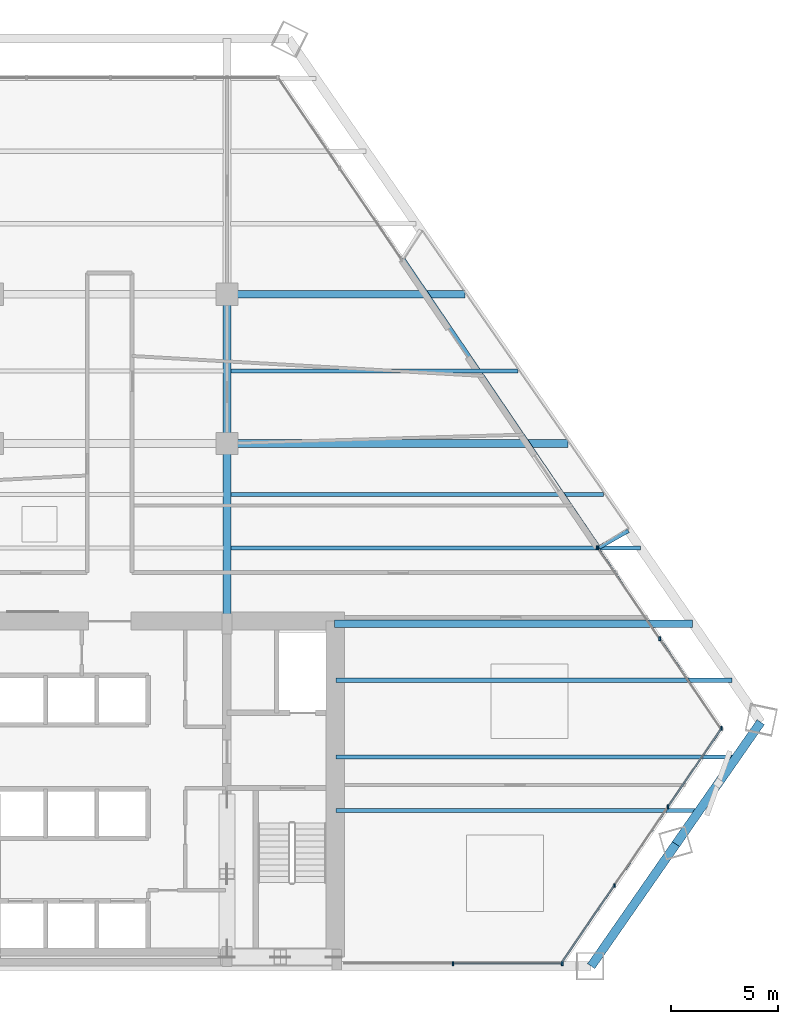
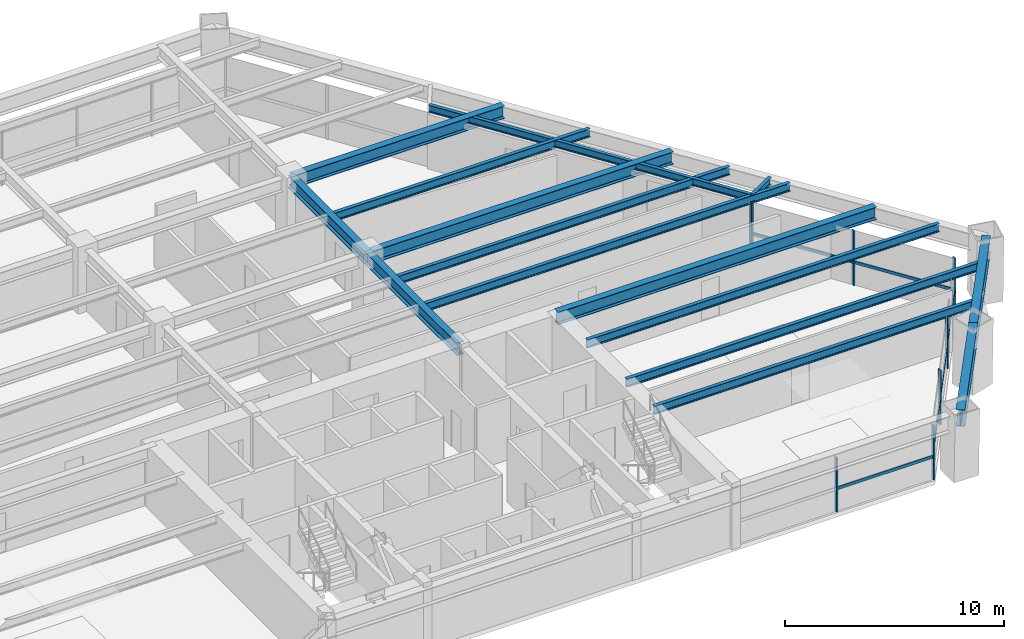
# One storey, part 6 of 14: 15 beams, 14 members, 3 elements without a shape of their own.
"""IFC4 building model written with IfcOpenShell, lengths in metres."""

from ifc_helpers import new_model, si_unit, direction, frame, origin, origin_2d, place, context, subcontext, project, spatial, rectangle, i_section, extrude, source, transform, mapped, material, material_profile, profile_set, type_object, type_shapes, element, aggregate, save


model = new_model("IFC4")

# Units and contexts
model_context = context("Model", 3, precision=1e-05, world=origin(), true_north=direction((0.0, 1.0)))
body_context = subcontext(model_context, "Body", "Model", "MODEL_VIEW")
ifc_project = project(units=[si_unit("LENGTHUNIT", "METRE"), si_unit("AREAUNIT", "SQUARE_METRE"), si_unit("VOLUMEUNIT", "CUBIC_METRE"), si_unit("PLANEANGLEUNIT", "RADIAN"), si_unit("MASSUNIT", "GRAM", prefix="KILO")], contexts=[model_context])

# Site, building, storey
site_placement = place(None, origin())
site = spatial("IfcSite", under=ifc_project, at=site_placement, CompositionType="ELEMENT")
building_placement = place(site_placement, origin())
building = spatial("IfcBuilding", under=site, at=building_placement, Name="Varnakhor Terracotta Tower", CompositionType="ELEMENT")
storey_placement = place(building_placement, frame((0.0, 0.0, 31.199951171875)))
storey = spatial("IfcBuildingStorey", under=building, at=storey_placement, Name="L06", CompositionType="ELEMENT", Elevation=31.199951171875)

# Beams
ifc_material_1 = material(Name="Steel S355", Category="steel")
ifc_material_profile_1 = material_profile(ifc_material_1, i_section(OverallWidth=0.35498046875, OverallDepth=0.695068359375, WebThickness=0.014892578125, FlangeThickness=0.02490234375, FilletRadius=0.01806640625, at=origin_2d()), Name="W27X146")
ifc_profile_set_1 = profile_set([ifc_material_profile_1], Name="Steel S355")
beam_type_1 = type_object("IfcBeamType", Name="BM-W27X146", PredefinedType="BEAM", material=ifc_profile_set_1)
shared_shape_1 = source(origin(), body_context, "Body", "SweptSolid", [
    extrude(i_section(OverallWidth=0.35498046875, OverallDepth=0.695068359375, WebThickness=0.014892578125, FlangeThickness=0.02490234375, FilletRadius=0.01806640625, at=origin_2d()), origin(), (0.0, 0.0, 1.0), 8.449951171875),
])
type_shapes(beam_type_1, [shared_shape_1])
beam_1_placement = place(storey_placement, frame((5.5, 16.050048828125, 3.1025390625), z_axis=(0.0, 1.0, 0.0), x_axis=(-1.0, 0.0, 0.0)))
element("IfcBeam", 1, at=beam_1_placement, inside=storey, type_object=beam_type_1, Name="L06 Primary Girder NS1-E", PredefinedType="BEAM", context=body_context, shape_type="MappedRepresentation", body=[
    mapped(shared_shape_1, transform((0.0, 0.0, 0.0), scale=1.0)),
])
shared_shape_2 = source(origin(), body_context, "Body", "SweptSolid", [
    extrude(i_section(OverallWidth=0.35498046875, OverallDepth=0.695068359375, WebThickness=0.014892578125, FlangeThickness=0.02490234375, FilletRadius=0.01806640625, at=origin_2d()), origin(), (0.0, 0.0, 1.0), 7.0),
])
beam_2_placement = place(storey_placement, frame((5.5, 24.5, 3.1025390625), z_axis=(0.0, 1.0, 0.0), x_axis=(-1.0, 0.0, 0.0)))
element("IfcBeam", 2, at=beam_2_placement, inside=storey, type_object=beam_type_1, Name="L06 Primary Girder NS2-E", PredefinedType="BEAM", context=body_context, shape_type="MappedRepresentation", body=[
    mapped(shared_shape_2, transform((0.0, 0.0, 0.0), scale=1.0)),
])
ifc_material_profile_2 = material_profile(ifc_material_1, i_section(OverallWidth=0.41796875, OverallDepth=0.927001953125, WebThickness=0.01904296875, FlangeThickness=0.031982421875, FilletRadius=0.01806640625, at=origin_2d()), Name="W36X231")
ifc_profile_set_2 = profile_set([ifc_material_profile_2], Name="Steel S355")
beam_type_2 = type_object("IfcBeamType", Name="BM-W36X231", PredefinedType="BEAM", material=ifc_profile_set_2)
shared_shape_3 = source(origin(), body_context, "Body", "SweptSolid", [
    extrude(i_section(OverallWidth=0.41796875, OverallDepth=0.927001953125, WebThickness=0.01904296875, FlangeThickness=0.031982421875, FilletRadius=0.01806640625, at=origin_2d()), origin(), (0.0, 0.0, 1.0), 6.96435546875),
])
for number, where, z_axis, x_axis, name in (
    (3, (22.57080078125, 0.0, 2.986572265625), (0.570814872879, 0.821078790921, 0.0), (-0.821078790921, 0.570814872879, 0.0), "L06 Perimeter Spandrel 2"),
    (4, (26.546142578125, 5.71826171875, 2.986572265625), (0.570814872879, 0.821078790921, 0.0), (-0.821078790921, 0.570814872879, 0.0), "L06 Perimeter Spandrel 3"),
):
    element("IfcBeam", number, at=place(storey_placement, frame(where, z_axis=z_axis, x_axis=x_axis)), inside=storey, type_object=beam_type_2, Name=name, PredefinedType="BEAM", context=body_context, shape_type="MappedRepresentation", body=[
        mapped(shared_shape_3, transform((0.0, 0.0, 0.0), scale=1.0)),
    ])
ifc_material_profile_3 = material_profile(ifc_material_1, i_section(OverallWidth=0.179931640625, OverallDepth=0.39990234375, WebThickness=0.008544921875, FlangeThickness=0.013427734375, FilletRadius=0.01806640625, at=origin_2d()), Name="IPE400")
ifc_profile_set_3 = profile_set([ifc_material_profile_3], Name="Steel S355")
beam_type_3 = type_object("IfcBeamType", Name="JST-IPE400", PredefinedType="JOIST", material=ifc_profile_set_3)
shared_shape_4 = source(origin(), body_context, "Body", "SweptSolid", [
    extrude(i_section(OverallWidth=0.179931640625, OverallDepth=0.39990234375, WebThickness=0.008544921875, FlangeThickness=0.013427734375, FilletRadius=0.01806640625, at=origin_2d()), origin(), (0.0, 0.0, 1.0), 16.37109375),
])
beam_3_placement = place(storey_placement, frame((22.929931640625, 19.61669921875, 3.25), z_axis=(-0.56106773426, 0.827769894096, 0.0), x_axis=(-0.827769894096, -0.56106773426, 0.0)))
element("IfcBeam", 5, at=beam_3_placement, inside=storey, type_object=beam_type_3, Name="L06 Loggia Edge Beam 1", PredefinedType="JOIST", context=body_context, shape_type="MappedRepresentation", body=[
    mapped(shared_shape_4, transform((0.0, 0.0, 0.0), scale=1.0)),
])
shared_shape_5 = source(origin(), body_context, "Body", "SweptSolid", [
    extrude(i_section(OverallWidth=0.35498046875, OverallDepth=0.695068359375, WebThickness=0.014892578125, FlangeThickness=0.02490234375, FilletRadius=0.01806640625, at=origin_2d()), origin(), (0.0, 0.0, 1.0), 16.782470703125),
])
beam_4_placement = place(storey_placement, frame((10.550048828125, 16.050048828125, 3.1025390625), z_axis=(1.0, 0.0, 0.0), x_axis=(0.0, 1.0, 0.0)))
element("IfcBeam", 6, at=beam_4_placement, inside=storey, type_object=beam_type_1, Name="L06 Wing Girder E", PredefinedType="BEAM", context=body_context, shape_type="MappedRepresentation", body=[
    mapped(shared_shape_5, transform((0.0, 0.0, 0.0), scale=1.0)),
])
shared_shape_6 = source(origin(), body_context, "Body", "SweptSolid", [
    extrude(i_section(OverallWidth=0.35498046875, OverallDepth=0.695068359375, WebThickness=0.014892578125, FlangeThickness=0.02490234375, FilletRadius=0.01806640625, at=origin_2d()), origin(), (0.0, 0.0, 1.0), 15.99169921875),
])
beam_5_placement = place(storey_placement, frame((5.5, 24.5, 3.1025390625), z_axis=(1.0, 0.0, 0.0), x_axis=(0.0, 1.0, 0.0)))
element("IfcBeam", 7, at=beam_5_placement, inside=storey, type_object=beam_type_1, Name="L06 Primary Girder EW2-3", PredefinedType="BEAM", context=body_context, shape_type="MappedRepresentation", body=[
    mapped(shared_shape_6, transform((0.0, 0.0, 0.0), scale=1.0)),
])
shared_shape_7 = source(origin(), body_context, "Body", "SweptSolid", [
    extrude(i_section(OverallWidth=0.35498046875, OverallDepth=0.695068359375, WebThickness=0.014892578125, FlangeThickness=0.02490234375, FilletRadius=0.01806640625, at=origin_2d()), origin(), (0.0, 0.0, 1.0), 11.1533203125),
])
beam_6_placement = place(storey_placement, frame((5.5, 31.5, 3.1025390625), z_axis=(1.0, 0.0, 0.0), x_axis=(0.0, 1.0, 0.0)))
element("IfcBeam", 8, at=beam_6_placement, inside=storey, type_object=beam_type_1, Name="L06 Primary Girder EW3-3", PredefinedType="BEAM", context=body_context, shape_type="MappedRepresentation", body=[
    mapped(shared_shape_7, transform((0.0, 0.0, 0.0), scale=1.0)),
])
ifc_material_profile_4 = material_profile(ifc_material_1, i_section(OverallWidth=0.19189453125, OverallDepth=0.462890625, WebThickness=0.010498046875, FlangeThickness=0.017578125, FilletRadius=0.01806640625, at=origin_2d()), Name="W18X60")
ifc_profile_set_4 = profile_set([ifc_material_profile_4], Name="Steel S355")
beam_type_4 = type_object("IfcBeamType", Name="JST-W18X60", PredefinedType="JOIST", material=ifc_profile_set_4)
shared_shape_8 = source(origin(), body_context, "Body", "SweptSolid", [
    extrude(i_section(OverallWidth=0.19189453125, OverallDepth=0.462890625, WebThickness=0.010498046875, FlangeThickness=0.017578125, FilletRadius=0.01806640625, at=origin_2d()), origin(), (0.0, 0.0, 1.0), 17.045654296875),
])
beam_7_placement = place(storey_placement, frame((10.60009765625, 7.300048828125, 3.218505859375), z_axis=(1.0, 0.0, 0.0), x_axis=(0.0, 1.0, 0.0)))
element("IfcBeam", 9, at=beam_7_placement, inside=storey, type_object=beam_type_4, Name="L06 Floor Joist E1", PredefinedType="JOIST", context=body_context, shape_type="MappedRepresentation", body=[
    mapped(shared_shape_8, transform((0.0, 0.0, 0.0), scale=1.0)),
])
shared_shape_9 = source(origin(), body_context, "Body", "SweptSolid", [
    extrude(i_section(OverallWidth=0.19189453125, OverallDepth=0.462890625, WebThickness=0.010498046875, FlangeThickness=0.017578125, FilletRadius=0.01806640625, at=origin_2d()), origin(), (0.0, 0.0, 1.0), 18.78369140625),
])
beam_8_placement = place(storey_placement, frame((10.60009765625, 9.800048828125, 3.218505859375), z_axis=(1.0, 0.0, 0.0), x_axis=(0.0, 1.0, 0.0)))
element("IfcBeam", 10, at=beam_8_placement, inside=storey, type_object=beam_type_4, Name="L06 Floor Joist E2", PredefinedType="JOIST", context=body_context, shape_type="MappedRepresentation", body=[
    mapped(shared_shape_9, transform((0.0, 0.0, 0.0), scale=1.0)),
])
shared_shape_10 = source(origin(), body_context, "Body", "SweptSolid", [
    extrude(i_section(OverallWidth=0.19189453125, OverallDepth=0.462890625, WebThickness=0.010498046875, FlangeThickness=0.017578125, FilletRadius=0.01806640625, at=origin_2d()), origin(), (0.0, 0.0, 1.0), 18.564208984375),
])
beam_9_placement = place(storey_placement, frame((10.60009765625, 13.39990234375, 3.218505859375), z_axis=(1.0, 0.0, 0.0), x_axis=(0.0, 1.0, 0.0)))
element("IfcBeam", 11, at=beam_9_placement, inside=storey, type_object=beam_type_4, Name="L06 Floor Joist E3", PredefinedType="JOIST", context=body_context, shape_type="MappedRepresentation", body=[
    mapped(shared_shape_10, transform((0.0, 0.0, 0.0), scale=1.0)),
])
shared_shape_11 = source(origin(), body_context, "Body", "SweptSolid", [
    extrude(i_section(OverallWidth=0.19189453125, OverallDepth=0.462890625, WebThickness=0.010498046875, FlangeThickness=0.017578125, FilletRadius=0.01806640625, at=origin_2d()), origin(), (0.0, 0.0, 1.0), 19.205078125),
])
beam_10_placement = place(storey_placement, frame((5.673583984375, 19.60009765625, 3.218505859375), z_axis=(1.0, 0.0, 0.0), x_axis=(0.0, 1.0, 0.0)))
element("IfcBeam", 12, at=beam_10_placement, inside=storey, type_object=beam_type_4, Name="L06 Composite Floor Joist 4-3", PredefinedType="JOIST", context=body_context, shape_type="MappedRepresentation", body=[
    mapped(shared_shape_11, transform((0.0, 0.0, 0.0), scale=1.0)),
])
shared_shape_12 = source(origin(), body_context, "Body", "SweptSolid", [
    extrude(i_section(OverallWidth=0.19189453125, OverallDepth=0.462890625, WebThickness=0.010498046875, FlangeThickness=0.017578125, FilletRadius=0.01806640625, at=origin_2d()), origin(), (0.0, 0.0, 1.0), 17.47705078125),
])
beam_11_placement = place(storey_placement, frame((5.673583984375, 22.10009765625, 3.218505859375), z_axis=(1.0, 0.0, 0.0), x_axis=(0.0, 1.0, 0.0)))
element("IfcBeam", 13, at=beam_11_placement, inside=storey, type_object=beam_type_4, Name="L06 Composite Floor Joist 5-3", PredefinedType="JOIST", context=body_context, shape_type="MappedRepresentation", body=[
    mapped(shared_shape_12, transform((0.0, 0.0, 0.0), scale=1.0)),
])
shared_shape_13 = source(origin(), body_context, "Body", "SweptSolid", [
    extrude(i_section(OverallWidth=0.19189453125, OverallDepth=0.462890625, WebThickness=0.010498046875, FlangeThickness=0.017578125, FilletRadius=0.01806640625, at=origin_2d()), origin(), (0.0, 0.0, 1.0), 13.468017578125),
])
beam_12_placement = place(storey_placement, frame((5.673583984375, 27.89990234375, 3.218505859375), z_axis=(1.0, 0.0, 0.0), x_axis=(0.0, 1.0, 0.0)))
element("IfcBeam", 14, at=beam_12_placement, inside=storey, type_object=beam_type_4, Name="L06 Composite Floor Joist 6-3", PredefinedType="JOIST", context=body_context, shape_type="MappedRepresentation", body=[
    mapped(shared_shape_13, transform((0.0, 0.0, 0.0), scale=1.0)),
])

# Curtain wall, members
ifc_material_2 = material(Name="Anodised Aluminium Curtain Wall System", Category="aluminium")
curtain_wall_type = type_object("IfcCurtainWallType", Name="CW-SYS-LOW-OFFICE", PredefinedType="NOTDEFINED", material=ifc_material_2)
curtain_wall_1_placement = place(storey_placement, origin())
curtain_wall_1 = element("IfcCurtainWall", 15, at=curtain_wall_1_placement, inside=storey, type_object=curtain_wall_type, Name="L06 E Facet Curtain Wall 2", PredefinedType="NOTDEFINED")
ifc_material_3 = material(Name="Anodised Aluminium 6063-T6", Category="aluminium")
ifc_material_profile_5 = material_profile(ifc_material_3, rectangle(XDim=0.074951171875, YDim=0.18505859375, at=origin_2d()), Name="ALU MULLION 75x185")
ifc_profile_set_5 = profile_set([ifc_material_profile_5], Name="Anodised Aluminium 6063-T6")
member_type_1 = type_object("IfcMemberType", Name="CWM-02", PredefinedType="MULLION", material=ifc_profile_set_5)
shared_shape_14 = source(origin(), body_context, "Body", "SweptSolid", [
    extrude(rectangle(XDim=0.074951171875, YDim=0.18505859375, at=origin_2d()), origin(), (0.0, 0.0, 1.0), 3.030029296875),
])
type_shapes(member_type_1, [shared_shape_14])
member_1_placement = place(storey_placement, frame((22.8876953125, 19.602783203125, 0.0), z_axis=(0.0, 0.0, 1.0), x_axis=(1.0, 0.0, 0.0)))
member_1 = element("IfcMember", 16, at=member_1_placement, type_object=member_type_1, Name="L06 E Facet Curtain Wall 2 Mullion 1", PredefinedType="MULLION", context=body_context, shape_type="MappedRepresentation", body=[
    mapped(shared_shape_14, transform((0.0, 0.0, 0.0), scale=1.0)),
])
member_2_placement = place(storey_placement, frame((25.78857421875, 15.3369140625, 0.0), z_axis=(0.0, 0.0, 1.0), x_axis=(1.0, 0.0, 0.0)))
member_2 = element("IfcMember", 17, at=member_2_placement, type_object=member_type_1, Name="L06 E Facet Curtain Wall 2 Mullion 2", PredefinedType="MULLION", context=body_context, shape_type="MappedRepresentation", body=[
    mapped(shared_shape_14, transform((0.0, 0.0, 0.0), scale=1.0)),
])
member_3_placement = place(storey_placement, frame((22.854248046875, 19.6162109375, 0.0), z_axis=(0.0, 0.0, 1.0), x_axis=(1.0, 0.0, 0.0)))
member_3 = element("IfcMember", 18, at=member_3_placement, type_object=member_type_1, Name="L06 E Loggia Jamb Closure Mullion 2", PredefinedType="MULLION", context=body_context, shape_type="MappedRepresentation", body=[
    mapped(shared_shape_14, transform((0.0, 0.0, 0.0), scale=1.0)),
])

curtain_wall_2_placement = place(storey_placement, origin())
curtain_wall_2 = element("IfcCurtainWall", 19, at=curtain_wall_2_placement, inside=storey, type_object=curtain_wall_type, Name="L06 Facet Curtain Wall 4", PredefinedType="NOTDEFINED")
member_4_placement = place(storey_placement, frame((28.689453125, 11.156494140625, 0.0), z_axis=(0.0, 0.0, 1.0), x_axis=(1.0, 0.0, 0.0)))
member_4 = element("IfcMember", 20, at=member_4_placement, type_object=member_type_1, Name="L06 Facet Curtain Wall 4 Mullion 1", PredefinedType="MULLION", context=body_context, shape_type="MappedRepresentation", body=[
    mapped(shared_shape_14, transform((0.0, 0.0, 0.0), scale=1.0)),
])
member_5_placement = place(storey_placement, frame((26.173828125, 7.468505859375, 0.0), z_axis=(0.0, 0.0, 1.0), x_axis=(1.0, 0.0, 0.0)))
member_5 = element("IfcMember", 21, at=member_5_placement, type_object=member_type_1, Name="L06 Facet Curtain Wall 4 Mullion 2", PredefinedType="MULLION", context=body_context, shape_type="MappedRepresentation", body=[
    mapped(shared_shape_14, transform((0.0, 0.0, 0.0), scale=1.0)),
])
member_6_placement = place(storey_placement, frame((23.658203125, 3.780517578125, 0.0), z_axis=(0.0, 0.0, 1.0), x_axis=(1.0, 0.0, 0.0)))
member_6 = element("IfcMember", 22, at=member_6_placement, type_object=member_type_1, Name="L06 Facet Curtain Wall 4 Mullion 3", PredefinedType="MULLION", context=body_context, shape_type="MappedRepresentation", body=[
    mapped(shared_shape_14, transform((0.0, 0.0, 0.0), scale=1.0)),
])

curtain_wall_3_placement = place(storey_placement, origin())
curtain_wall_3 = element("IfcCurtainWall", 23, at=curtain_wall_3_placement, inside=storey, type_object=curtain_wall_type, Name="L06 South Wing Curtain Wall SSE", PredefinedType="NOTDEFINED")
member_7_placement = place(storey_placement, frame((21.21484375, 0.1201171875, 0.0), z_axis=(0.0, 0.0, 1.0), x_axis=(1.0, 0.0, 0.0)))
member_7 = element("IfcMember", 24, at=member_7_placement, type_object=member_type_1, Name="L06 South Wing Curtain Wall SSE Mullion 1", PredefinedType="MULLION", context=body_context, shape_type="MappedRepresentation", body=[
    mapped(shared_shape_14, transform((0.0, 0.0, 0.0), scale=1.0)),
])
member_8_placement = place(storey_placement, frame((16.09228515625, 0.1201171875, 0.0), z_axis=(0.0, 0.0, 1.0), x_axis=(1.0, 0.0, 0.0)))
member_8 = element("IfcMember", 25, at=member_8_placement, type_object=member_type_1, Name="L06 South Wing Curtain Wall SSE Mullion 2", PredefinedType="MULLION", context=body_context, shape_type="MappedRepresentation", body=[
    mapped(shared_shape_14, transform((0.0, 0.0, 0.0), scale=1.0)),
])

# Member
ifc_material_profile_6 = material_profile(ifc_material_3, rectangle(XDim=0.074951171875, YDim=0.1650390625, at=origin_2d()), Name="ALU TRANSOM 75x165")
ifc_profile_set_6 = profile_set([ifc_material_profile_6], Name="Anodised Aluminium 6063-T6")
member_type_2 = type_object("IfcMemberType", Name="CWT-02", PredefinedType="USERDEFINED", material=ifc_profile_set_6)
shared_shape_15 = source(origin(), body_context, "Body", "SweptSolid", [
    extrude(rectangle(XDim=0.074951171875, YDim=0.1650390625, at=origin_2d()), origin(), (0.0, 0.0, 1.0), 5.15869140625),
])
member_9_placement = place(storey_placement, frame((22.8876953125, 19.602783203125, 1.272705078125), z_axis=(0.562321671504, -0.826918579884, 0.0), x_axis=(0.826918579884, 0.562321671504, 0.0)))
member_9 = element("IfcMember", 26, at=member_9_placement, type_object=member_type_2, Name="L06 E Facet Curtain Wall 2 Transom 1", ObjectType="TRANSOM", PredefinedType="USERDEFINED", context=body_context, shape_type="MappedRepresentation", body=[
    mapped(shared_shape_15, transform((0.0, 0.0, 0.0), scale=1.0)),
])

member_10_placement = place(storey_placement, frame((25.78857421875, 15.3369140625, 1.272705078125), z_axis=(0.562321671504, -0.826918579884, 0.0), x_axis=(0.826918579884, 0.562321671504, 0.0)))
member_10 = element("IfcMember", 27, at=member_10_placement, type_object=member_type_2, Name="L06 E Facet Curtain Wall 2 Transom 2", ObjectType="TRANSOM", PredefinedType="USERDEFINED", context=body_context, shape_type="MappedRepresentation", body=[
    mapped(shared_shape_15, transform((0.0, 0.0, 0.0), scale=1.0)),
])

aggregate(curtain_wall_1, [member_1, member_9, member_2, member_10, member_3])

shared_shape_16 = source(origin(), body_context, "Body", "SweptSolid", [
    extrude(rectangle(XDim=0.074951171875, YDim=0.1650390625, at=origin_2d()), origin(), (0.0, 0.0, 1.0), 4.46435546875),
])
member_11_placement = place(storey_placement, frame((28.689453125, 11.156494140625, 1.272705078125), z_axis=(-0.563503113515, -0.826113939514, 0.0), x_axis=(0.826113939514, -0.563503113515, 0.0)))
member_11 = element("IfcMember", 28, at=member_11_placement, type_object=member_type_2, Name="L06 Facet Curtain Wall 4 Transom 1", ObjectType="TRANSOM", PredefinedType="USERDEFINED", context=body_context, shape_type="MappedRepresentation", body=[
    mapped(shared_shape_16, transform((0.0, 0.0, 0.0), scale=1.0)),
])

member_12_placement = place(storey_placement, frame((26.173828125, 7.468505859375, 1.272705078125), z_axis=(-0.563503113515, -0.826113939514, 0.0), x_axis=(0.826113939514, -0.563503113515, 0.0)))
member_12 = element("IfcMember", 29, at=member_12_placement, type_object=member_type_2, Name="L06 Facet Curtain Wall 4 Transom 2", ObjectType="TRANSOM", PredefinedType="USERDEFINED", context=body_context, shape_type="MappedRepresentation", body=[
    mapped(shared_shape_16, transform((0.0, 0.0, 0.0), scale=1.0)),
])

member_13_placement = place(storey_placement, frame((23.658203125, 3.780517578125, 1.272705078125), z_axis=(-0.563477656253, -0.82613130367, 0.0), x_axis=(0.82613130367, -0.563477656253, 0.0)))
member_13 = element("IfcMember", 30, at=member_13_placement, type_object=member_type_2, Name="L06 Facet Curtain Wall 4 Transom 3", ObjectType="TRANSOM", PredefinedType="USERDEFINED", context=body_context, shape_type="MappedRepresentation", body=[
    mapped(shared_shape_16, transform((0.0, 0.0, 0.0), scale=1.0)),
])

aggregate(curtain_wall_2, [member_4, member_11, member_5, member_12, member_6, member_13])

shared_shape_17 = source(origin(), body_context, "Body", "SweptSolid", [
    extrude(rectangle(XDim=0.074951171875, YDim=0.1650390625, at=origin_2d()), origin(), (0.0, 0.0, 1.0), 5.12255859375),
])
member_14_placement = place(storey_placement, frame((21.21484375, 0.1201171875, 1.272705078125), z_axis=(-1.0, 0.0, 0.0), x_axis=(0.0, -1.0, 0.0)))
member_14 = element("IfcMember", 31, at=member_14_placement, type_object=member_type_2, Name="L06 South Wing Curtain Wall SSE Transom 1", ObjectType="TRANSOM", PredefinedType="USERDEFINED", context=body_context, shape_type="MappedRepresentation", body=[
    mapped(shared_shape_17, transform((0.0, 0.0, 0.0), scale=1.0)),
])

aggregate(curtain_wall_3, [member_7, member_14, member_8])

# Beam
shared_shape_18 = source(origin(), body_context, "Body", "SweptSolid", [
    extrude(i_section(OverallWidth=0.179931640625, OverallDepth=0.39990234375, WebThickness=0.008544921875, FlangeThickness=0.013427734375, FilletRadius=0.01806640625, at=origin_2d()), origin(), (0.0, 0.0, 1.0), 1.599609375),
])
beam_13_placement = place(storey_placement, frame((22.929931640625, 19.61669921875, 3.25), z_axis=(0.86901223474, 0.494790598003, 0.0), x_axis=(-0.494790598003, 0.86901223474, 0.0)))
element("IfcBeam", 32, at=beam_13_placement, inside=storey, type_object=beam_type_3, Name="L07 E Loggia Tie Beam 2", PredefinedType="JOIST", context=body_context, shape_type="MappedRepresentation", body=[
    mapped(shared_shape_18, transform((0.0, 0.0, 0.0), scale=1.0)),
])

save(model, "model.ifc")
